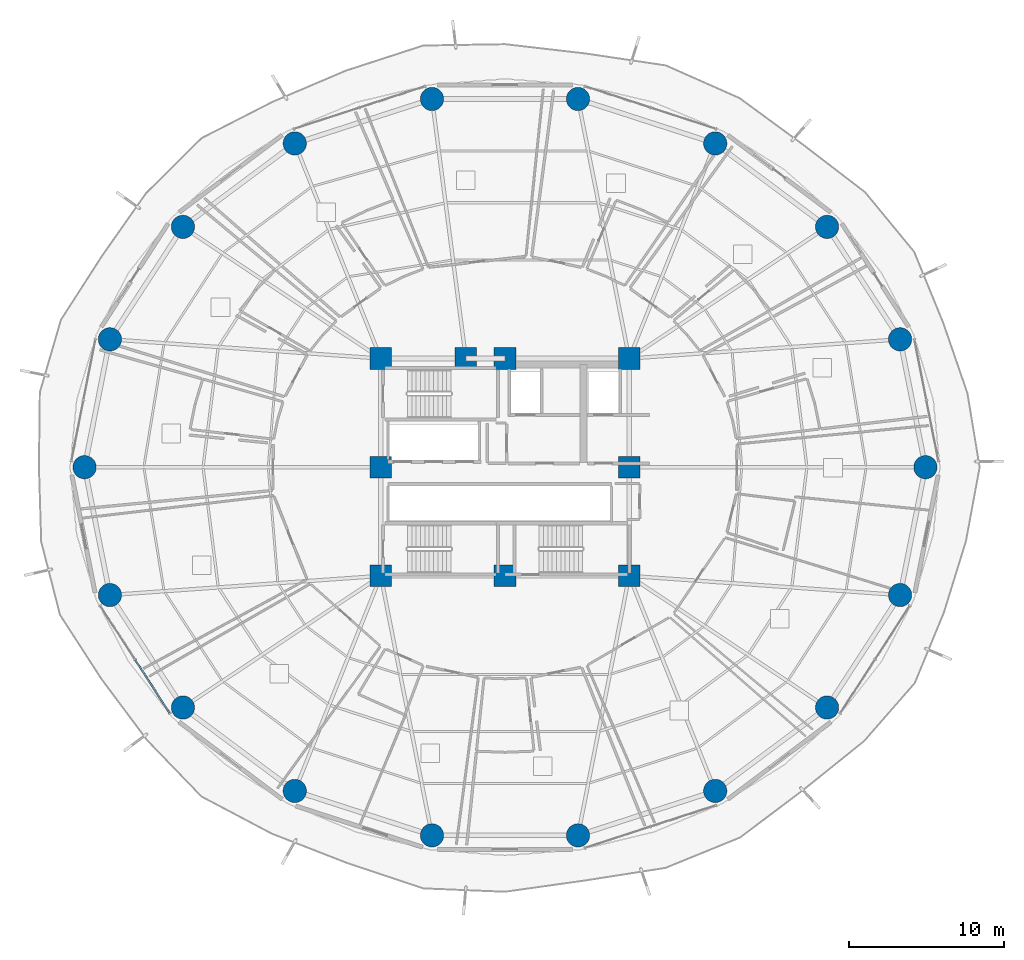
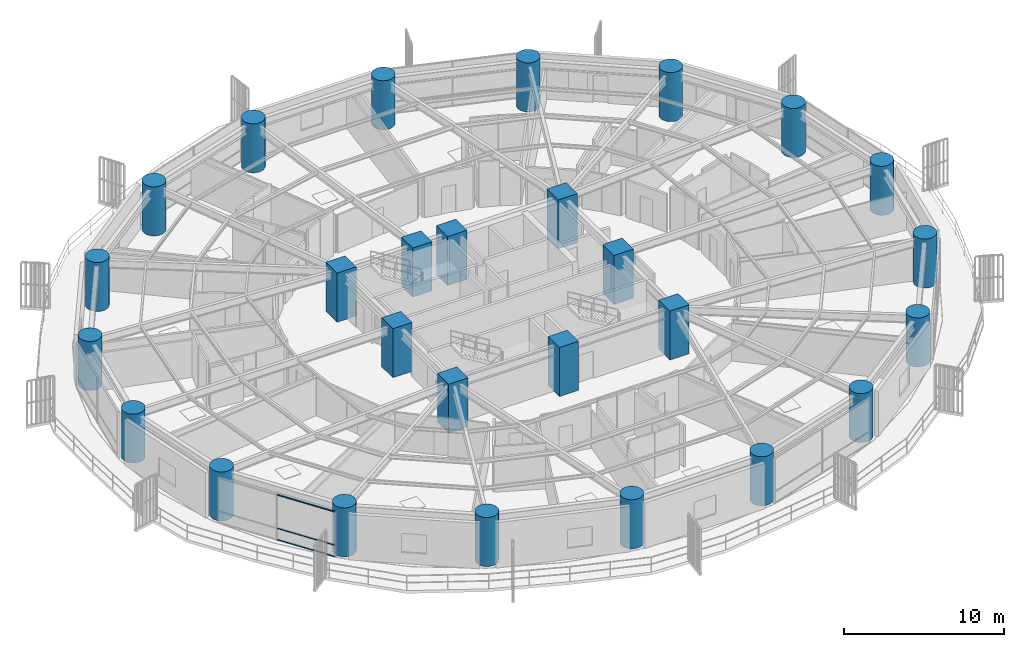
# One storey, part 1 of 32: 27 columns, 3 members, 1 element without a shape of its own.
"""IFC4 building model written with IfcOpenShell, lengths in metres."""

from ifc_helpers import new_model, si_unit, direction, frame, origin, origin_2d, place, context, subcontext, project, spatial, rectangle, hollow_rectangle, circle, extrude, material, layer, layer_set, material_profile, profile_set, type_object, element, aggregate, save


model = new_model("IFC4")

# Units and contexts
model_context = context("Model", 3, precision=1e-05, world=origin(), true_north=direction((0.0, 1.0)))
body_context = subcontext(model_context, "Body", "Model", "MODEL_VIEW")
ifc_project = project(units=[si_unit("LENGTHUNIT", "METRE"), si_unit("AREAUNIT", "SQUARE_METRE"), si_unit("VOLUMEUNIT", "CUBIC_METRE"), si_unit("PLANEANGLEUNIT", "RADIAN"), si_unit("MASSUNIT", "GRAM", prefix="KILO")], contexts=[model_context])

# Site, building, storey
site_placement = place(None, origin())
site = spatial("IfcSite", under=ifc_project, at=site_placement, CompositionType="ELEMENT")
building_placement = place(site_placement, origin())
building = spatial("IfcBuilding", under=site, at=building_placement, Name="Kelanora Arch Commons", CompositionType="ELEMENT")
storey_placement = place(building_placement, frame((0.0, 0.0, 48.75)))
storey = spatial("IfcBuildingStorey", under=building, at=storey_placement, Name="L12", CompositionType="ELEMENT", Elevation=48.75)

# Columns
ifc_material_1 = material(Name="Concrete C60/75", Category="concrete")
ifc_material_profile_1 = material_profile(ifc_material_1, circle(Radius=0.75, at=origin_2d()), Name="RCC1500")
ifc_profile_set_1 = profile_set([ifc_material_profile_1], Name="Concrete C60/75")
column_type_1 = type_object("IfcColumnType", Name="COL-PERIM-Z1", PredefinedType="COLUMN", material=ifc_profile_set_1)
for number, where, z_axis, x_axis, name in (
    (1, (101.080078125, 58.0, 0.0), (0.0, 0.0, 1.0), (1.0, 0.0, 0.0), "Perimeter Ring Column CP-00 L12"),
    (2, (99.447021484375, 66.23583984375, 0.0), (0.0, 0.0, 1.0), (1.0, 0.0, 0.0), "Perimeter Ring Column CP-02 L12"),
    (3, (94.744384765625, 73.478271484375, 0.0), (0.0, 0.0, 1.0), (1.0, 0.0, 0.0), "Perimeter Ring Column CP-04 L12"),
    (4, (87.5400390625, 78.85400390625, 0.0), (0.0, 0.0, 1.0), (1.0, 0.0, 0.0), "Perimeter Ring Column CP-06 L12"),
    (5, (78.702392578125, 81.714111328125, 0.0), (0.0, 0.0, 1.0), (1.0, 0.0, 0.0), "Perimeter Ring Column CP-08 L12"),
    (6, (69.297607421875, 81.714111328125, 0.0), (0.0, 0.0, 1.0), (1.0, 0.0, 0.0), "Perimeter Ring Column CP-10 L12"),
    (7, (60.4599609375, 78.85400390625, 0.0), (0.0, 0.0, 1.0), (1.0, 0.0, 0.0), "Perimeter Ring Column CP-12 L12"),
    (8, (53.255615234375, 73.478271484375, 0.0), (0.0, 0.0, 1.0), (1.0, 0.0, 0.0), "Perimeter Ring Column CP-14 L12"),
    (9, (48.552978515625, 66.23583984375, 0.0), (0.0, 0.0, 1.0), (1.0, 0.0, 0.0), "Perimeter Ring Column CP-16 L12"),
    (10, (46.919921875, 58.0, 0.0), (0.0, 0.0, 1.0), (1.0, 0.0, 0.0), "Perimeter Ring Column CP-18 L12"),
    (11, (48.552978515625, 49.76416015625, 0.0), (0.0, 0.0, 1.0), (1.0, 0.0, 0.0), "Perimeter Ring Column CP-20 L12"),
    (12, (53.255615234375, 42.521728515625, 0.0), (0.0, 0.0, 1.0), (1.0, 0.0, 0.0), "Perimeter Ring Column CP-22 L12"),
    (13, (60.4599609375, 37.14599609375, 0.0), (0.0, 0.0, 1.0), (1.0, 0.0, 0.0), "Perimeter Ring Column CP-24 L12"),
    (14, (69.297607421875, 34.285888671875, 0.0), (0.0, 0.0, 1.0), (1.0, 0.0, 0.0), "Perimeter Ring Column CP-26 L12"),
    (15, (78.702392578125, 34.285888671875, 0.0), (0.0, 0.0, 1.0), (1.0, 0.0, 0.0), "Perimeter Ring Column CP-28 L12"),
    (16, (87.5400390625, 37.14599609375, 0.0), (0.0, 0.0, 1.0), (1.0, 0.0, 0.0), "Perimeter Ring Column CP-30 L12"),
    (17, (94.744384765625, 42.521728515625, 0.0), (0.0, 0.0, 1.0), (1.0, 0.0, 0.0), "Perimeter Ring Column CP-32 L12"),
    (18, (99.447021484375, 49.76416015625, 0.0), (0.0, 0.0, 1.0), (1.0, 0.0, 0.0), "Perimeter Ring Column CP-34 L12"),
):
    element("IfcColumn", number, at=place(storey_placement, frame(where, z_axis=z_axis, x_axis=x_axis)), inside=storey, type_object=column_type_1, Name=name, PredefinedType="COLUMN", context=body_context, shape_type="SweptSolid", body=[
        extrude(circle(Radius=0.75, at=origin_2d()), origin(), (0.0, 0.0, 1.0), 3.75),
    ])
ifc_material_profile_2 = material_profile(ifc_material_1, rectangle(XDim=1.39990234375, YDim=1.39990234375, at=origin_2d()), Name="RC1400x1400")
ifc_profile_set_2 = profile_set([ifc_material_profile_2], Name="Concrete C60/75")
column_type_2 = type_object("IfcColumnType", Name="COL-PIL-LOW", PredefinedType="PILASTER", material=ifc_profile_set_2)
for number, where, z_axis, x_axis, name in (
    (19, (66.0, 51.0, 0.0), (0.0, 0.0, 1.0), (1.0, 0.0, 0.0), "Core Pilaster Column CP1 L12"),
    (20, (74.0, 51.0, 0.0), (0.0, 0.0, 1.0), (1.0, 0.0, 0.0), "Core Pilaster Column CP2 L12"),
    (21, (82.0, 51.0, 0.0), (0.0, 0.0, 1.0), (1.0, 0.0, 0.0), "Core Pilaster Column CP3 L12"),
    (22, (82.0, 58.0, 0.0), (0.0, 0.0, 1.0), (1.0, 0.0, 0.0), "Core Pilaster Column CP4 L12"),
    (23, (82.0, 65.0, 0.0), (0.0, 0.0, 1.0), (1.0, 0.0, 0.0), "Core Pilaster Column CP5 L12"),
    (24, (74.0, 65.0, 0.0), (0.0, 0.0, 1.0), (1.0, 0.0, 0.0), "Core Pilaster Column CP6 L12"),
    (25, (71.47998046875, 65.0, 0.0), (0.0, 0.0, 1.0), (1.0, 0.0, 0.0), "Core Pilaster Column CP9 L12"),
    (26, (66.0, 65.0, 0.0), (0.0, 0.0, 1.0), (1.0, 0.0, 0.0), "Core Pilaster Column CP7 L12"),
    (27, (66.0, 58.0, 0.0), (0.0, 0.0, 1.0), (1.0, 0.0, 0.0), "Core Pilaster Column CP8 L12"),
):
    element("IfcColumn", number, at=place(storey_placement, frame(where, z_axis=z_axis, x_axis=x_axis)), inside=storey, type_object=column_type_2, Name=name, PredefinedType="PILASTER", context=body_context, shape_type="SweptSolid", body=[
        extrude(rectangle(XDim=1.39990234375, YDim=1.39990234375, at=origin_2d()), origin(), (0.0, 0.0, 1.0), 3.75),
    ])

# Curtain wall, members
ifc_material_2 = material(Name="Terracotta ceramic-fritted low-E glass and aluminium", Category="masonry")
ifc_layer = layer(ifc_material_2, 0.159912109375)
ifc_layer_set = layer_set([ifc_layer], Name="Terracotta ceramic-fritted low-E glass and aluminium")
curtain_wall_type = type_object("IfcCurtainWallType", Name="CW-SYS-01", PredefinedType="NOTDEFINED", material=ifc_layer_set)
curtain_wall_placement = place(storey_placement, origin())
curtain_wall = element("IfcCurtainWall", 28, at=curtain_wall_placement, inside=storey, type_object=curtain_wall_type, Name="Unitised Curtain Wall L12-B10", PredefinedType="NOTDEFINED")
ifc_material_3 = material(Name="Powder-coated aluminium terracotta", Category="masonry")
ifc_material_profile_3 = material_profile(ifc_material_3, hollow_rectangle(XDim=0.1201171875, YDim=0.06005859375, WallThickness=0.0048828125, InnerFilletRadius=0.0048828125, OuterFilletRadius=0.010009765625, at=origin_2d()), Name="CWT120x60")
ifc_profile_set_3 = profile_set([ifc_material_profile_3], Name="Powder-coated aluminium terracotta")
member_type = type_object("IfcMemberType", Name="CWT-STD", PredefinedType="USERDEFINED", material=ifc_profile_set_3)
member_1_placement = place(storey_placement, frame((50.185546875, 45.588134765625, 0.030029296875), z_axis=(0.542997414293, -0.839734367566, 0.0), x_axis=(0.839734367566, 0.542997414293, 0.0)))
member_1 = element("IfcMember", 29, at=member_1_placement, type_object=member_type, Name="CW-01 transom 2.1", ObjectType="TRANSOM", PredefinedType="USERDEFINED", context=body_context, shape_type="SweptSolid", body=[
    extrude(hollow_rectangle(XDim=0.1201171875, YDim=0.06005859375, WallThickness=0.0048828125, InnerFilletRadius=0.0048828125, OuterFilletRadius=0.010009765625, at=origin_2d()), origin(), (0.0, 0.0, 1.0), 4.067626953125),
])
member_2_placement = place(storey_placement, frame((50.185546875, 45.588134765625, 0.89990234375), z_axis=(0.542997414293, -0.839734367566, 0.0), x_axis=(0.839734367566, 0.542997414293, 0.0)))
member_2 = element("IfcMember", 30, at=member_2_placement, type_object=member_type, Name="CW-01 transom 2.2", ObjectType="TRANSOM", PredefinedType="USERDEFINED", context=body_context, shape_type="SweptSolid", body=[
    extrude(hollow_rectangle(XDim=0.1201171875, YDim=0.06005859375, WallThickness=0.0048828125, InnerFilletRadius=0.0048828125, OuterFilletRadius=0.010009765625, at=origin_2d()), origin(), (0.0, 0.0, 1.0), 4.067626953125),
])
member_3_placement = place(storey_placement, frame((50.185546875, 45.588134765625, 3.445068359375), z_axis=(0.542997414293, -0.839734367566, 0.0), x_axis=(0.839734367566, 0.542997414293, 0.0)))
member_3 = element("IfcMember", 31, at=member_3_placement, type_object=member_type, Name="CW-01 transom 2.3", ObjectType="TRANSOM", PredefinedType="USERDEFINED", context=body_context, shape_type="SweptSolid", body=[
    extrude(hollow_rectangle(XDim=0.1201171875, YDim=0.06005859375, WallThickness=0.0048828125, InnerFilletRadius=0.0048828125, OuterFilletRadius=0.010009765625, at=origin_2d()), origin(), (0.0, 0.0, 1.0), 4.067626953125),
])
aggregate(curtain_wall, [member_1, member_2, member_3])

save(model, "model.ifc")
